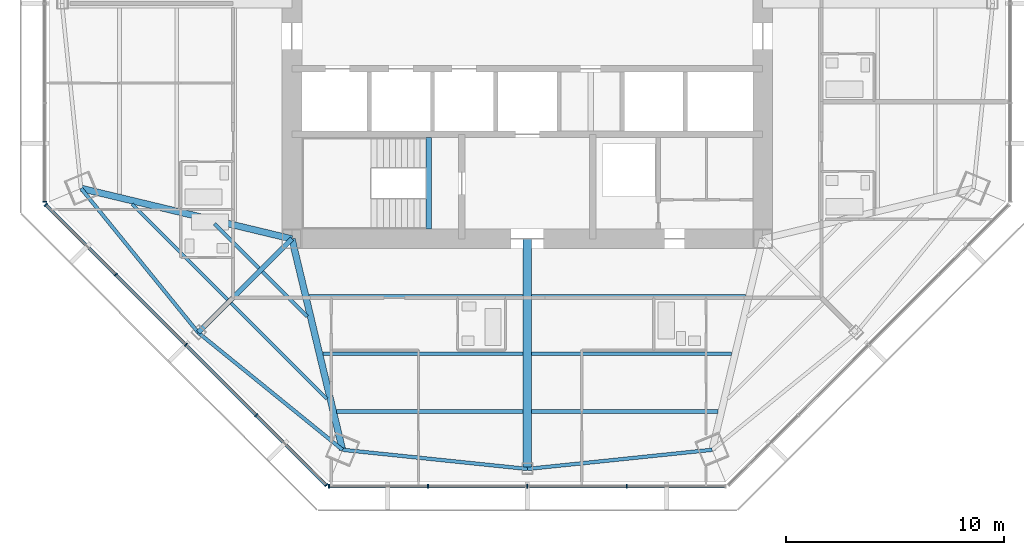
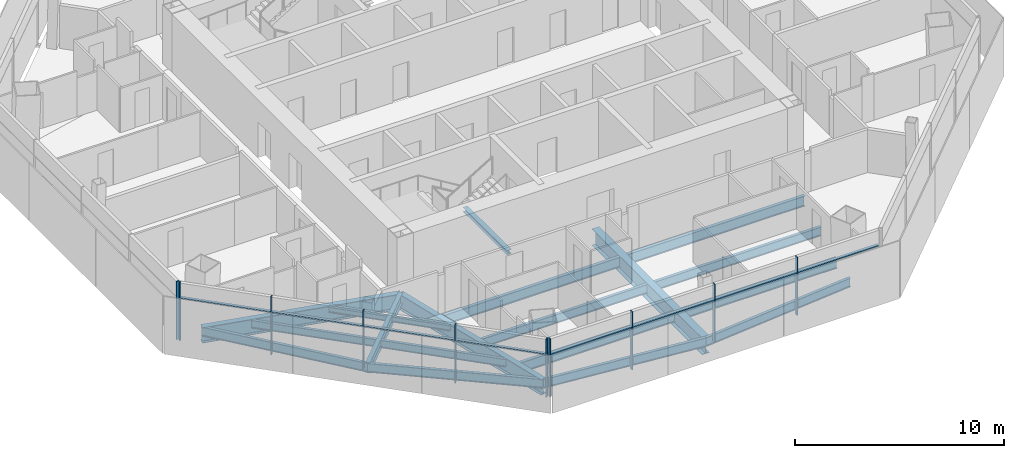
# One storey, part 2 of 15: 19 beams, 18 members, 3 elements without a shape of their own.
"""IFC4 building model written with IfcOpenShell, lengths in metres."""

import ifcopenshell
import ifcopenshell.guid

model = None  # the IFC model being written
_history = None  # IfcOwnerHistory: only IFC2X3 demands one
_inside = {}  # id of a spatial element -> (the spatial element, [elements in it])
_under = {}  # id of a project, library or spatial element -> (it, [spatial elements below it])
_declared = {}  # id of a project -> (the project, [libraries it declares])
_typed = {}  # id of a type object -> (the type object, [elements of that type])
_made_of = {}  # id of a material, layer set ... -> (it, [elements and type objects made of it])


def new_model(schema):
    """Start an empty IFC model of exactly this schema.

    Asked for "IFC4X3", IfcOpenShell would pick the latest addendum, in which some entities
    have other attributes; the version numbers below select the first issue.
    IFC2X3 requires an IfcOwnerHistory on every rooted entity: one is made here for all.
    """
    global model, _history
    if schema == "IFC4X3":
        model = ifcopenshell.file(schema_version=(4, 3, 0, 0))
    else:
        model = ifcopenshell.file(schema=schema)
    _inside.clear()
    _under.clear()
    _declared.clear()
    _typed.clear()
    _made_of.clear()
    _history = None
    if model.schema == "IFC2X3":
        org = make("IfcOrganization", Name="unknown")
        user = make(
            "IfcPersonAndOrganization",
            ThePerson=make("IfcPerson", FamilyName="unknown"),
            TheOrganization=org,
        )
        app = make(
            "IfcApplication",
            ApplicationDeveloper=org,
            Version="unknown",
            ApplicationFullName="unknown",
            ApplicationIdentifier="unknown",
        )
        _history = make(
            "IfcOwnerHistory",
            OwningUser=user,
            OwningApplication=app,
            ChangeAction="ADDED",
            CreationDate=0,
        )
    return model


def make(cls, **values):
    """One entity of the class cls with the attributes given. An attribute that is None is left unset."""
    return model.create_entity(
        cls, **{name: value for name, value in values.items() if value is not None}
    )


def rooted(cls, **values):
    """An entity with a GlobalId (a new one), such as an element, a storey or a relation."""
    return make(cls, GlobalId=ifcopenshell.guid.new(), OwnerHistory=_history, **values)


def si_unit(unit_type, name, prefix=None):
    """IfcSIUnit, for example si_unit("LENGTHUNIT", "METRE", prefix="MILLI")."""
    return make("IfcSIUnit", UnitType=unit_type, Prefix=prefix, Name=name)


def assignment(units):
    """IfcUnitAssignment: the units of a project."""
    return None if units is None else make("IfcUnitAssignment", Units=units)


def point(xyz):
    """IfcCartesianPoint."""
    return None if xyz is None else make("IfcCartesianPoint", Coordinates=xyz)


def direction(xyz):
    """IfcDirection."""
    return None if xyz is None else make("IfcDirection", DirectionRatios=xyz)


def frame(location, z_axis=None, x_axis=None):
    """IfcAxis2Placement3D, a coordinate frame: its origin and axes. An axis left out is left unset."""
    return make(
        "IfcAxis2Placement3D",
        Location=point(location),
        Axis=direction(z_axis),
        RefDirection=direction(x_axis),
    )


def frame_2d(location, x_axis=None):
    """IfcAxis2Placement2D, a coordinate frame in the plane: its origin and x axis."""
    return make(
        "IfcAxis2Placement2D", Location=point(location), RefDirection=direction(x_axis)
    )


def origin():
    """The frame at (0, 0, 0) with its axes left unset."""
    return frame((0.0, 0.0, 0.0))


def origin_2d():
    """The frame at (0, 0) in the plane with its x axis left unset."""
    return frame_2d((0.0, 0.0))


def place(relative_to, where):
    """IfcLocalPlacement: puts the frame where relative to a parent placement (None: the world)."""
    return make(
        "IfcLocalPlacement", PlacementRelTo=relative_to, RelativePlacement=where
    )


def context(
    kind, dimensions, precision=None, world=None, true_north=None, identifier=None
):
    """IfcGeometricRepresentationContext, for example the 3D "Model" context."""
    return make(
        "IfcGeometricRepresentationContext",
        ContextIdentifier=identifier,
        ContextType=kind,
        CoordinateSpaceDimension=dimensions,
        Precision=precision,
        WorldCoordinateSystem=world,
        TrueNorth=true_north,
    )


def subcontext(parent, identifier, kind, view, scale=None):
    """IfcGeometricRepresentationSubContext, for example "Body" below "Model"."""
    return make(
        "IfcGeometricRepresentationSubContext",
        ContextIdentifier=identifier,
        ContextType=kind,
        ParentContext=parent,
        TargetScale=scale,
        TargetView=view,
    )


def project(units=None, contexts=None):
    """IfcProject with its units and contexts."""
    return rooted(
        "IfcProject",
        Name="project",
        RepresentationContexts=contexts,
        UnitsInContext=assignment(units),
    )


def spatial(cls, under=None, at=None, **own):
    """A site, building, storey or space (cls), placed at a placement, below another one or the project."""
    s = rooted(cls, ObjectPlacement=at, **own)
    if under is not None:
        _under.setdefault(under.id(), (under, []))[1].append(s)
    return s


def profile(cls, at=None, kind="AREA", **sizes):
    """A parametric profile (cls). Its sizes go by their IFC names, for example OverallWidth=200.0."""
    return make(cls, ProfileType=kind, Position=at, **sizes)


def rectangle(**sizes):
    """IfcRectangleProfileDef."""
    return profile("IfcRectangleProfileDef", **sizes)


def i_section(**sizes):
    """IfcIShapeProfileDef."""
    return profile("IfcIShapeProfileDef", **sizes)


def extrude(swept, where, along, depth):
    """IfcExtrudedAreaSolid: the profile swept, set in the frame where, extruded along a direction by depth."""
    return make(
        "IfcExtrudedAreaSolid",
        SweptArea=swept,
        Position=where,
        ExtrudedDirection=direction(along),
        Depth=depth,
    )


def shape(context_of_items, identifier, shape_type, items):
    """IfcShapeRepresentation: the items that make up one representation, for example the "Body"."""
    return make(
        "IfcShapeRepresentation",
        ContextOfItems=context_of_items,
        RepresentationIdentifier=identifier,
        RepresentationType=shape_type,
        Items=items,
    )


def source(mapping_origin, context_of_items, identifier, shape_type, items):
    """IfcRepresentationMap: a shape defined once, which mapped items show again and again."""
    return make(
        "IfcRepresentationMap",
        MappingOrigin=mapping_origin,
        MappedRepresentation=shape(context_of_items, identifier, shape_type, items),
    )


def transform(
    local_origin,
    x_axis=None,
    y_axis=None,
    z_axis=None,
    scale=None,
    scale2=None,
    scale3=None,
    uniform=True,
):
    """IfcCartesianTransformationOperator3D, or its non-uniform kind. x_axis, y_axis, z_axis: its Axis1, 2, 3."""
    if uniform:
        return make(
            "IfcCartesianTransformationOperator3D",
            Axis1=direction(x_axis),
            Axis2=direction(y_axis),
            LocalOrigin=point(local_origin),
            Scale=scale,
            Axis3=direction(z_axis),
        )
    return make(
        "IfcCartesianTransformationOperator3DnonUniform",
        Axis1=direction(x_axis),
        Axis2=direction(y_axis),
        LocalOrigin=point(local_origin),
        Scale=scale,
        Axis3=direction(z_axis),
        Scale2=scale2,
        Scale3=scale3,
    )


def mapped(mapping_source, mapping_target):
    """IfcMappedItem: shows the shape of a source again, moved by a transform."""
    return make(
        "IfcMappedItem", MappingSource=mapping_source, MappingTarget=mapping_target
    )


def material(Name=None, Category=None):
    """IfcMaterial."""
    return make("IfcMaterial", Name=Name, Category=Category)


def material_profile(
    of_material, cross_section, Name=None, Category=None, Priority=None
):
    """IfcMaterialProfile: a cross section and its material."""
    return make(
        "IfcMaterialProfile",
        Name=Name,
        Material=of_material,
        Profile=cross_section,
        Priority=Priority,
        Category=Category,
    )


def profile_set(profiles, Name=None, composite=None):
    """IfcMaterialProfileSet."""
    return make(
        "IfcMaterialProfileSet",
        Name=Name,
        MaterialProfiles=profiles,
        CompositeProfile=composite,
    )


def made_of(thing, what):
    """Note that an element or type object is made of a material, layer set ...; save() writes the relation."""
    if what is not None:
        _made_of.setdefault(what.id(), (what, []))[1].append(thing)
    return thing


def type_object(cls, material=None, **own):
    """A type object (cls), such as IfcWallType, which elements share."""
    return made_of(rooted(cls, **own), material)


def type_shapes(of_type, sources):
    """Give a type object the sources (RepresentationMaps) that its elements show as mapped items."""
    of_type.RepresentationMaps = sources


def element(
    cls,
    number,
    at=None,
    inside=None,
    cuts=None,
    type_object=None,
    material=None,
    context=None,
    identifier="Body",
    shape_type=None,
    held_by="IfcProductDefinitionShape",
    body=None,
    shapes=None,
    **own,
):
    """One element of the class cls, such as IfcWall. Its Tag is "e" and its number.

    at: its placement. inside: the storey or other place that contains it. cuts: it is an
    opening in that element (IfcRelVoidsElement). A single representation is given by context,
    identifier, shape_type and body (its items); several are given by shapes. held_by: the class
    of the entity that holds the representations. save() writes the other relations.
    """
    e = rooted(cls, Tag="e%d" % number, ObjectPlacement=at, **own)
    if body is not None:
        shapes = [shape(context, identifier, shape_type, body)]
    if shapes is not None:
        e.Representation = make(held_by, Representations=shapes)
    if inside is not None:
        _inside.setdefault(inside.id(), (inside, []))[1].append(e)
    if cuts is not None:
        rooted(
            "IfcRelVoidsElement", RelatingBuildingElement=cuts, RelatedOpeningElement=e
        )
    if type_object is not None:
        _typed.setdefault(type_object.id(), (type_object, []))[1].append(e)
    return made_of(e, material)


def aggregate(whole, parts):
    """IfcRelAggregates: a whole, such as a stair, and the parts it consists of."""
    return rooted("IfcRelAggregates", RelatingObject=whole, RelatedObjects=parts)


def save(model, path):
    """Write the relations noted so far, then the file.

    IfcRelAggregates (storeys below a building ...), IfcRelContainedInSpatialStructure (elements
    in a storey), IfcRelDefinesByType, IfcRelAssociatesMaterial and IfcRelDeclares: one each for
    every whole, place, type object, material and project.
    """
    for whole, parts in _under.values():
        aggregate(whole, parts)
    for where, things in _inside.values():
        rooted(
            "IfcRelContainedInSpatialStructure",
            RelatedElements=things,
            RelatingStructure=where,
        )
    for kind, things in _typed.values():
        rooted("IfcRelDefinesByType", RelatedObjects=things, RelatingType=kind)
    for what, things in _made_of.values():
        rooted("IfcRelAssociatesMaterial", RelatedObjects=things, RelatingMaterial=what)
    for by, libraries in _declared.values():
        rooted("IfcRelDeclares", RelatingContext=by, RelatedDefinitions=libraries)
    model.write(path)


model = new_model("IFC4")

# Units and contexts
model_context = context("Model", 3, precision=1e-05, world=origin(), true_north=direction((0.0, 1.0)))
body_context = subcontext(model_context, "Body", "Model", "MODEL_VIEW")
ifc_project = project(units=[si_unit("LENGTHUNIT", "METRE"), si_unit("AREAUNIT", "SQUARE_METRE"), si_unit("VOLUMEUNIT", "CUBIC_METRE"), si_unit("PLANEANGLEUNIT", "RADIAN"), si_unit("MASSUNIT", "GRAM", prefix="KILO")], contexts=[model_context])

# Site, building, storey
site_placement = place(None, origin())
site = spatial("IfcSite", under=ifc_project, at=site_placement, CompositionType="ELEMENT")
building_placement = place(site_placement, origin())
building = spatial("IfcBuilding", under=site, at=building_placement, Name="Mashrafa Tower", CompositionType="ELEMENT")
storey_placement = place(building_placement, frame((0.0, 0.0, 207.39990234375)))
storey = spatial("IfcBuildingStorey", under=building, at=storey_placement, Name="L47", CompositionType="ELEMENT", Elevation=207.39990234375)

# Beams
ifc_material_1 = material(Name="Steel ASTM A992", Category="steel")
ifc_material_profile_1 = material_profile(ifc_material_1, i_section(OverallWidth=0.164794921875, OverallDepth=0.309814453125, WebThickness=0.005859375, FlangeThickness=0.009765625, FilletRadius=0.007568359375, at=origin_2d()), Name="W12X26")
ifc_profile_set_1 = profile_set([ifc_material_profile_1], Name="Steel ASTM A992")
beam_type_1 = type_object("IfcBeamType", Name="Beam W12X26", PredefinedType="BEAM", material=ifc_profile_set_1)
for number, where, z_axis, x_axis, name in (
    (1, (-12.31396484375, -12.152099609375, -0.354736328125), (-0.707064662666, 0.707148897198, 0.0), (-0.707148897198, -0.707064662666, 0.0), "Floor beam L47 011"),
    (2, (-10.1025390625, -14.36328125, -0.354736328125), (-0.707148897198, 0.707064662666, 0.0), (-0.707064662666, -0.707148897198, 0.0), "Floor beam L47 014"),
):
    element("IfcBeam", number, at=place(storey_placement, frame(where, z_axis=z_axis, x_axis=x_axis)), inside=storey, type_object=beam_type_1, Name=name, PredefinedType="BEAM", context=body_context, shape_type="SweptSolid", body=[
        extrude(i_section(OverallWidth=0.164794921875, OverallDepth=0.309814453125, WebThickness=0.005859375, FlangeThickness=0.009765625, FilletRadius=0.007568359375, at=origin_2d()), origin(), (0.0, 0.0, 1.0), 2.8984375),
    ])
ifc_material_2 = material(Name="Steel ASTM A992", Category="steel")
ifc_material_profile_2 = material_profile(ifc_material_2, i_section(OverallWidth=0.15234375, OverallDepth=0.449462890625, WebThickness=0.007568359375, FlangeThickness=0.0107421875, FilletRadius=0.01025390625, at=origin_2d()), Name="W18X35")
ifc_profile_set_2 = profile_set([ifc_material_profile_2], Name="Steel ASTM A992")
beam_type_2 = type_object("IfcBeamType", Name="Beam W18X35", PredefinedType="BEAM", material=ifc_profile_set_2)
for number, where, z_axis, x_axis, name in (
    (3, (-13.7470703125, -13.585205078125, -0.4248046875), (-0.707106781187, 0.707106781187, 0.0), (-0.707106781187, -0.707106781187, 0.0), "Floor beam L47 007"),
    (4, (-9.19921875, -18.133056640625, -0.4248046875), (-0.707106781187, 0.707106781187, 0.0), (-0.707106781187, -0.707106781187, 0.0), "Floor beam L47 016"),
):
    element("IfcBeam", number, at=place(storey_placement, frame(where, z_axis=z_axis, x_axis=x_axis)), inside=storey, type_object=beam_type_2, Name=name, PredefinedType="BEAM", context=body_context, shape_type="SweptSolid", body=[
        extrude(i_section(OverallWidth=0.15234375, OverallDepth=0.449462890625, WebThickness=0.007568359375, FlangeThickness=0.0107421875, FilletRadius=0.01025390625, at=origin_2d()), origin(), (0.0, 0.0, 1.0), 6.20263671875),
    ])
ifc_material_3 = material(Name="Steel ASTM A992", Category="steel")
ifc_material_profile_3 = material_profile(ifc_material_3, i_section(OverallWidth=0.1650390625, OverallDepth=0.52587890625, WebThickness=0.0087890625, FlangeThickness=0.011474609375, FilletRadius=0.0126953125, at=origin_2d()), Name="W21X44")
ifc_profile_set_3 = profile_set([ifc_material_profile_3], Name="Steel ASTM A992")
beam_type_3 = type_object("IfcBeamType", Name="Beam W21X44", PredefinedType="BEAM", material=ifc_profile_set_3)
for number, where, z_axis, x_axis, name in (
    (5, (-0.20068359375, -16.07666015625, -0.462890625), (-1.0, 0.0, 0.0), (0.0, -1.0, 0.0), "Floor beam L47 019"),
    (6, (9.378662109375, -16.07666015625, -0.462890625), (-1.0, 0.0, 0.0), (0.0, -1.0, 0.0), "Floor beam L47 026"),
):
    element("IfcBeam", number, at=place(storey_placement, frame(where, z_axis=z_axis, x_axis=x_axis)), inside=storey, type_object=beam_type_3, Name=name, PredefinedType="BEAM", context=body_context, shape_type="SweptSolid", body=[
        extrude(i_section(OverallWidth=0.1650390625, OverallDepth=0.52587890625, WebThickness=0.0087890625, FlangeThickness=0.011474609375, FilletRadius=0.0126953125, at=origin_2d()), origin(), (0.0, 0.0, 1.0), 9.177978515625),
    ])
for number, where, z_axis, x_axis, name in (
    (7, (-20.47509765625, -8.481201171875, -0.462890625), (0.630516085588, -0.7761761822, 0.0), (0.7761761822, 0.630516085588, 0.0), "Spandrel beam L47 058"),
    (8, (-15.09912109375, -15.09912109375, -0.462890625), (0.7761761822, -0.630516085588, 0.0), (0.630516085588, 0.7761761822, 0.0), "Spandrel beam L47 060"),
):
    element("IfcBeam", number, at=place(storey_placement, frame(where, z_axis=z_axis, x_axis=x_axis)), inside=storey, type_object=beam_type_3, Name=name, PredefinedType="BEAM", context=body_context, shape_type="SweptSolid", body=[
        extrude(i_section(OverallWidth=0.1650390625, OverallDepth=0.52587890625, WebThickness=0.0087890625, FlangeThickness=0.011474609375, FilletRadius=0.0126953125, at=origin_2d()), origin(), (0.0, 0.0, 1.0), 8.5263671875),
    ])
for number, where, z_axis, x_axis, name in (
    (9, (-8.481201171875, -20.47509765625, -0.462890625), (0.994682087869, -0.102992932153, 0.0), (0.102992932153, 0.994682087869, 0.0), "Spandrel beam L47 062"),
    (10, (0.0, -21.353271484375, -0.462890625), (0.994682087869, 0.102992932153, 0.0), (-0.102992932153, 0.994682087869, 0.0), "Spandrel beam L47 064"),
):
    element("IfcBeam", number, at=place(storey_placement, frame(where, z_axis=z_axis, x_axis=x_axis)), inside=storey, type_object=beam_type_3, Name=name, PredefinedType="BEAM", context=body_context, shape_type="SweptSolid", body=[
        extrude(i_section(OverallWidth=0.1650390625, OverallDepth=0.52587890625, WebThickness=0.0087890625, FlangeThickness=0.011474609375, FilletRadius=0.0126953125, at=origin_2d()), origin(), (0.0, 0.0, 1.0), 8.526611328125),
    ])
ifc_material_4 = material(Name="Steel ASTM A992", Category="steel")
ifc_material_profile_4 = material_profile(ifc_material_4, i_section(OverallWidth=0.177978515625, OverallDepth=0.599365234375, WebThickness=0.010009765625, FlangeThickness=0.012939453125, FilletRadius=0.012939453125, at=origin_2d()), Name="W24X55")
ifc_profile_set_4 = profile_set([ifc_material_profile_4], Name="Steel ASTM A992")
beam_type_4 = type_object("IfcBeamType", Name="Beam W24X55", PredefinedType="BEAM", material=ifc_profile_set_4)
beam_1_placement = place(storey_placement, frame((-0.20068359375, -18.715087890625, -0.49951171875), z_axis=(-1.0, 0.0, 0.0), x_axis=(0.0, -1.0, 0.0)))
element("IfcBeam", 11, at=beam_1_placement, inside=storey, type_object=beam_type_4, Name="Floor beam L47 018", PredefinedType="BEAM", context=body_context, shape_type="SweptSolid", body=[
    extrude(i_section(OverallWidth=0.177978515625, OverallDepth=0.599365234375, WebThickness=0.010009765625, FlangeThickness=0.012939453125, FilletRadius=0.012939453125, at=origin_2d()), origin(), (0.0, 0.0, 1.0), 8.545654296875),
])
beam_2_placement = place(storey_placement, frame((-0.20068359375, -13.438232421875, -0.49951171875), z_axis=(-1.0, 0.0, 0.0), x_axis=(0.0, -1.0, 0.0)))
element("IfcBeam", 12, at=beam_2_placement, inside=storey, type_object=beam_type_4, Name="Floor beam L47 020", PredefinedType="BEAM", context=body_context, shape_type="SweptSolid", body=[
    extrude(i_section(OverallWidth=0.177978515625, OverallDepth=0.599365234375, WebThickness=0.010009765625, FlangeThickness=0.012939453125, FilletRadius=0.012939453125, at=origin_2d()), origin(), (0.0, 0.0, 1.0), 9.810302734375),
])
beam_3_placement = place(storey_placement, frame((8.746337890625, -18.715087890625, -0.49951171875), z_axis=(-1.0, 0.0, 0.0), x_axis=(0.0, -1.0, 0.0)))
element("IfcBeam", 13, at=beam_3_placement, inside=storey, type_object=beam_type_4, Name="Floor beam L47 024", PredefinedType="BEAM", context=body_context, shape_type="SweptSolid", body=[
    extrude(i_section(OverallWidth=0.177978515625, OverallDepth=0.599365234375, WebThickness=0.010009765625, FlangeThickness=0.012939453125, FilletRadius=0.012939453125, at=origin_2d()), origin(), (0.0, 0.0, 1.0), 8.545654296875),
])
beam_4_placement = place(storey_placement, frame((10.010986328125, -13.438232421875, -0.49951171875), z_axis=(-1.0, 0.0, 0.0), x_axis=(0.0, -1.0, 0.0)))
element("IfcBeam", 14, at=beam_4_placement, inside=storey, type_object=beam_type_4, Name="Floor beam L47 028", PredefinedType="BEAM", context=body_context, shape_type="SweptSolid", body=[
    extrude(i_section(OverallWidth=0.177978515625, OverallDepth=0.599365234375, WebThickness=0.010009765625, FlangeThickness=0.012939453125, FilletRadius=0.012939453125, at=origin_2d()), origin(), (0.0, 0.0, 1.0), 9.810302734375),
])
ifc_material_5 = material(Name="Steel ASTM A992", Category="steel")
ifc_material_profile_5 = material_profile(ifc_material_5, i_section(OverallWidth=0.22900390625, OverallDepth=0.612060546875, WebThickness=0.011962890625, FlangeThickness=0.01953125, FilletRadius=0.0126953125, at=origin_2d()), Name="W24X84")
ifc_profile_set_5 = profile_set([ifc_material_profile_5], Name="Steel ASTM A992")
beam_type_5 = type_object("IfcBeamType", Name="Beam W24X84", PredefinedType="BEAM", material=ifc_profile_set_5)
beam_5_placement = place(storey_placement, frame((-10.800048828125, -10.800048828125, -0.505859375), z_axis=(-0.707106781187, -0.707106781187, 0.0), x_axis=(0.707106781187, -0.707106781187, 0.0)))
element("IfcBeam", 15, at=beam_5_placement, inside=storey, type_object=beam_type_5, Name="Radial girder L47 042", PredefinedType="BEAM", context=body_context, shape_type="SweptSolid", body=[
    extrude(i_section(OverallWidth=0.22900390625, OverallDepth=0.612060546875, WebThickness=0.011962890625, FlangeThickness=0.01953125, FilletRadius=0.0126953125, at=origin_2d()), origin(), (0.0, 0.0, 1.0), 6.079833984375),
])
ifc_material_6 = material(Name="Steel ASTM A992", Category="steel")
ifc_material_profile_6 = material_profile(ifc_material_6, i_section(OverallWidth=0.3046875, OverallDepth=0.911865234375, WebThickness=0.015869140625, FlangeThickness=0.02392578125, FilletRadius=0.01904296875, at=origin_2d()), Name="W36X150")
ifc_profile_set_6 = profile_set([ifc_material_profile_6], Name="Steel ASTM A992")
beam_type_6 = type_object("IfcBeamType", Name="Beam W36X150", PredefinedType="BEAM", material=ifc_profile_set_6)
for number, where, z_axis, x_axis, name in (
    (16, (-10.800048828125, -10.800048828125, -0.65576171875), (-0.972459424898, 0.233072235426, 0.0), (-0.233072235426, -0.972459424898, 0.0), "Radial girder L47 041"),
    (17, (-10.800048828125, -10.800048828125, -0.65576171875), (0.233072235426, -0.972459424898, 0.0), (0.972459424898, 0.233072235426, 0.0), "Radial girder L47 043"),
):
    element("IfcBeam", number, at=place(storey_placement, frame(where, z_axis=z_axis, x_axis=x_axis)), inside=storey, type_object=beam_type_6, Name=name, PredefinedType="BEAM", context=body_context, shape_type="SweptSolid", body=[
        extrude(i_section(OverallWidth=0.3046875, OverallDepth=0.911865234375, WebThickness=0.015869140625, FlangeThickness=0.02392578125, FilletRadius=0.01904296875, at=origin_2d()), origin(), (0.0, 0.0, 1.0), 9.948974609375),
    ])
ifc_material_7 = material(Name="Steel ASTM A992", Category="steel")
ifc_material_profile_7 = material_profile(ifc_material_7, i_section(OverallWidth=0.4013671875, OverallDepth=0.98291015625, WebThickness=0.0166015625, FlangeThickness=0.027099609375, FilletRadius=0.0126953125, at=origin_2d()), Name="W40X199")
ifc_profile_set_7 = profile_set([ifc_material_profile_7], Name="Steel ASTM A992")
beam_type_7 = type_object("IfcBeamType", Name="Beam W40X199", PredefinedType="BEAM", material=ifc_profile_set_7)
beam_6_placement = place(storey_placement, frame((0.0, -10.800048828125, -0.69140625), z_axis=(0.0, -1.0, 0.0), x_axis=(1.0, 0.0, 0.0)))
element("IfcBeam", 18, at=beam_6_placement, inside=storey, type_object=beam_type_7, Name="Radial girder L47 048", PredefinedType="BEAM", context=body_context, shape_type="SweptSolid", body=[
    extrude(i_section(OverallWidth=0.4013671875, OverallDepth=0.98291015625, WebThickness=0.0166015625, FlangeThickness=0.027099609375, FilletRadius=0.0126953125, at=origin_2d()), origin(), (0.0, 0.0, 1.0), 10.55322265625),
])
ifc_material_8 = material(Name="Steel ASTM A992", Category="steel")
ifc_material_profile_8 = material_profile(ifc_material_8, i_section(OverallWidth=0.25390625, OverallDepth=0.25390625, WebThickness=0.008544921875, FlangeThickness=0.01416015625, FilletRadius=0.010009765625, at=origin_2d()), Name="W10X49")
ifc_profile_set_8 = profile_set([ifc_material_profile_8], Name="Steel ASTM A992")
beam_type_8 = type_object("IfcBeamType", Name="Hoistway beam W10X49", PredefinedType="BEAM", material=ifc_profile_set_8)
beam_7_placement = place(storey_placement, frame((-4.530029296875, -10.35009765625, -0.326904296875), z_axis=(0.0, 1.0, 0.0), x_axis=(-1.0, 0.0, 0.0)))
element("IfcBeam", 19, at=beam_7_placement, inside=storey, type_object=beam_type_8, Name="Stair S3 landing beam L47", PredefinedType="BEAM", context=body_context, shape_type="SweptSolid", body=[
    extrude(i_section(OverallWidth=0.25390625, OverallDepth=0.25390625, WebThickness=0.008544921875, FlangeThickness=0.01416015625, FilletRadius=0.010009765625, at=origin_2d()), origin(), (0.0, 0.0, 1.0), 4.2001953125),
])

# Curtain wall, member
ifc_material_9 = material(Name="Unitised aluminium curtain wall", Category="aluminium")
curtain_wall_type = type_object("IfcCurtainWallType", Name="Apartment curtain wall, zone 3 CW-C 180 deep", PredefinedType="NOTDEFINED", material=ifc_material_9)
curtain_wall_1_placement = place(storey_placement, origin())
curtain_wall_1 = element("IfcCurtainWall", 20, at=curtain_wall_1_placement, inside=storey, type_object=curtain_wall_type, Name="Apartment curtain wall, zone 3 L47 west", PredefinedType="NOTDEFINED")
ifc_material_10 = material(Name="Extruded aluminium mullion", Category="aluminium")
ifc_material_profile_9 = material_profile(ifc_material_10, rectangle(XDim=0.179931640625, YDim=0.06005859375, at=origin_2d()), Name="Mullion 60x180")
ifc_profile_set_9 = profile_set([ifc_material_profile_9], Name="Extruded aluminium mullion")
member_type_1 = type_object("IfcMemberType", Name="Mullion CW-C 60 x 180", PredefinedType="MULLION", material=ifc_profile_set_9)
shared_shape_1 = source(origin(), body_context, "Body", "SweptSolid", [
    extrude(rectangle(XDim=0.179931640625, YDim=0.06005859375, at=origin_2d()), origin(), (0.0, 0.0, 1.0), 3.400146484375),
])
type_shapes(member_type_1, [shared_shape_1])
member_1_placement = place(storey_placement, frame((-22.147705078125, -9.0966796875, 0.0), z_axis=(0.0, 0.0, 1.0), x_axis=(1.0, 0.0, 0.0)))
member_1 = element("IfcMember", 21, at=member_1_placement, type_object=member_type_1, Name="CW-C mullion 5", PredefinedType="MULLION", context=body_context, shape_type="MappedRepresentation", body=[
    mapped(shared_shape_1, transform((0.0, 0.0, 0.0))),
])
aggregate(curtain_wall_1, [member_1])

# Curtain wall, members
curtain_wall_2_placement = place(storey_placement, origin())
curtain_wall_2 = element("IfcCurtainWall", 22, at=curtain_wall_2_placement, inside=storey, type_object=curtain_wall_type, Name="Apartment curtain wall, zone 3 L47 south-west", PredefinedType="NOTDEFINED")
member_2_placement = place(storey_placement, frame((-22.093017578125, -9.228515625, 0.0), z_axis=(0.0, 0.0, 1.0), x_axis=(0.707106781187, 0.707106781187, 0.0)))
member_2 = element("IfcMember", 23, at=member_2_placement, type_object=member_type_1, Name="CW-C mullion 1", PredefinedType="MULLION", context=body_context, shape_type="MappedRepresentation", body=[
    mapped(shared_shape_1, transform((0.0, 0.0, 0.0))),
])
member_3_placement = place(storey_placement, frame((-18.887451171875, -12.43408203125, 0.0), z_axis=(0.0, 0.0, 1.0), x_axis=(0.707106781187, 0.707106781187, 0.0)))
member_3 = element("IfcMember", 24, at=member_3_placement, type_object=member_type_1, Name="CW-C mullion 2", PredefinedType="MULLION", context=body_context, shape_type="MappedRepresentation", body=[
    mapped(shared_shape_1, transform((0.0, 0.0, 0.0))),
])
member_4_placement = place(storey_placement, frame((-15.66064453125, -15.66064453125, 0.0), z_axis=(0.0, 0.0, 1.0), x_axis=(0.707106781187, 0.707106781187, 0.0)))
member_4 = element("IfcMember", 25, at=member_4_placement, type_object=member_type_1, Name="CW-C mullion 3", PredefinedType="MULLION", context=body_context, shape_type="MappedRepresentation", body=[
    mapped(shared_shape_1, transform((0.0, 0.0, 0.0))),
])
member_5_placement = place(storey_placement, frame((-12.43408203125, -18.887451171875, 0.0), z_axis=(0.0, 0.0, 1.0), x_axis=(0.707106781187, 0.707106781187, 0.0)))
member_5 = element("IfcMember", 26, at=member_5_placement, type_object=member_type_1, Name="CW-C mullion 4", PredefinedType="MULLION", context=body_context, shape_type="MappedRepresentation", body=[
    mapped(shared_shape_1, transform((0.0, 0.0, 0.0))),
])
member_6_placement = place(storey_placement, frame((-9.228515625, -22.093017578125, 0.0), z_axis=(0.0, 0.0, 1.0), x_axis=(0.707106781187, 0.707106781187, 0.0)))
member_6 = element("IfcMember", 27, at=member_6_placement, type_object=member_type_1, Name="CW-C mullion 5", PredefinedType="MULLION", context=body_context, shape_type="MappedRepresentation", body=[
    mapped(shared_shape_1, transform((0.0, 0.0, 0.0))),
])

curtain_wall_3_placement = place(storey_placement, origin())
curtain_wall_3 = element("IfcCurtainWall", 28, at=curtain_wall_3_placement, inside=storey, type_object=curtain_wall_type, Name="Apartment curtain wall, zone 3 L47 south", PredefinedType="NOTDEFINED")
member_7_placement = place(storey_placement, frame((-9.0966796875, -22.147705078125, 0.0), z_axis=(0.0, 0.0, 1.0), x_axis=(0.0, 1.0, 0.0)))
member_7 = element("IfcMember", 29, at=member_7_placement, type_object=member_type_1, Name="CW-C mullion 1", PredefinedType="MULLION", context=body_context, shape_type="MappedRepresentation", body=[
    mapped(shared_shape_1, transform((0.0, 0.0, 0.0))),
])
member_8_placement = place(storey_placement, frame((-4.563232421875, -22.147705078125, 0.0), z_axis=(0.0, 0.0, 1.0), x_axis=(0.0, 1.0, 0.0)))
member_8 = element("IfcMember", 30, at=member_8_placement, type_object=member_type_1, Name="CW-C mullion 2", PredefinedType="MULLION", context=body_context, shape_type="MappedRepresentation", body=[
    mapped(shared_shape_1, transform((0.0, 0.0, 0.0))),
])
member_9_placement = place(storey_placement, frame((0.0, -22.147705078125, 0.0), z_axis=(0.0, 0.0, 1.0), x_axis=(0.0, 1.0, 0.0)))
member_9 = element("IfcMember", 31, at=member_9_placement, type_object=member_type_1, Name="CW-C mullion 3", PredefinedType="MULLION", context=body_context, shape_type="MappedRepresentation", body=[
    mapped(shared_shape_1, transform((0.0, 0.0, 0.0))),
])
member_10_placement = place(storey_placement, frame((4.563232421875, -22.147705078125, 0.0), z_axis=(0.0, 0.0, 1.0), x_axis=(0.0, 1.0, 0.0)))
member_10 = element("IfcMember", 32, at=member_10_placement, type_object=member_type_1, Name="CW-C mullion 4", PredefinedType="MULLION", context=body_context, shape_type="MappedRepresentation", body=[
    mapped(shared_shape_1, transform((0.0, 0.0, 0.0))),
])

# Member
ifc_material_11 = material(Name="Extruded aluminium transom", Category="aluminium")
ifc_material_profile_10 = material_profile(ifc_material_11, rectangle(XDim=0.14404296875, YDim=0.074951171875, at=origin_2d()), Name="Transom 75x144")
ifc_profile_set_10 = profile_set([ifc_material_profile_10], Name="Extruded aluminium transom")
member_type_2 = type_object("IfcMemberType", Name="Transom CW-C 75 x 144", PredefinedType="MULLION", material=ifc_profile_set_10)
shared_shape_2 = source(origin(), body_context, "Body", "SweptSolid", [
    extrude(rectangle(XDim=0.14404296875, YDim=0.074951171875, at=origin_2d()), origin(), (0.0, 0.0, 1.0), 4.473388671875),
])
member_11_placement = place(storey_placement, frame((-22.07177734375, -9.249755859375, 2.5), z_axis=(0.707106781187, -0.707106781187, 0.0), x_axis=(0.707106781187, 0.707106781187, 0.0)))
member_11 = element("IfcMember", 33, at=member_11_placement, type_object=member_type_2, Name="CW-C transom 1", PredefinedType="MULLION", context=body_context, shape_type="MappedRepresentation", body=[
    mapped(shared_shape_2, transform((0.0, 0.0, 0.0))),
])

member_12_placement = place(storey_placement, frame((-12.412841796875, -18.90869140625, 2.5), z_axis=(0.707106781187, -0.707106781187, 0.0), x_axis=(0.707106781187, 0.707106781187, 0.0)))
member_12 = element("IfcMember", 34, at=member_12_placement, type_object=member_type_2, Name="CW-C transom 4", PredefinedType="MULLION", context=body_context, shape_type="MappedRepresentation", body=[
    mapped(shared_shape_2, transform((0.0, 0.0, 0.0))),
])

member_13_placement = place(storey_placement, frame((-9.066650390625, -22.147705078125, 2.5), z_axis=(1.0, 0.0, 0.0), x_axis=(0.0, 1.0, 0.0)))
member_13 = element("IfcMember", 35, at=member_13_placement, type_object=member_type_2, Name="CW-C transom 1", PredefinedType="MULLION", context=body_context, shape_type="MappedRepresentation", body=[
    mapped(shared_shape_2, transform((0.0, 0.0, 0.0))),
])

member_14_placement = place(storey_placement, frame((4.59326171875, -22.147705078125, 2.5), z_axis=(1.0, 0.0, 0.0), x_axis=(0.0, 1.0, 0.0)))
member_14 = element("IfcMember", 36, at=member_14_placement, type_object=member_type_2, Name="CW-C transom 4", PredefinedType="MULLION", context=body_context, shape_type="MappedRepresentation", body=[
    mapped(shared_shape_2, transform((0.0, 0.0, 0.0))),
])

shared_shape_3 = source(origin(), body_context, "Body", "SweptSolid", [
    extrude(rectangle(XDim=0.14404296875, YDim=0.074951171875, at=origin_2d()), origin(), (0.0, 0.0, 1.0), 4.503173828125),
])
member_15_placement = place(storey_placement, frame((-4.533203125, -22.147705078125, 2.5), z_axis=(1.0, 0.0, 0.0), x_axis=(0.0, 1.0, 0.0)))
member_15 = element("IfcMember", 37, at=member_15_placement, type_object=member_type_2, Name="CW-C transom 2", PredefinedType="MULLION", context=body_context, shape_type="MappedRepresentation", body=[
    mapped(shared_shape_3, transform((0.0, 0.0, 0.0))),
])

member_16_placement = place(storey_placement, frame((0.030029296875, -22.147705078125, 2.5), z_axis=(1.0, 0.0, 0.0), x_axis=(0.0, 1.0, 0.0)))
member_16 = element("IfcMember", 38, at=member_16_placement, type_object=member_type_2, Name="CW-C transom 3", PredefinedType="MULLION", context=body_context, shape_type="MappedRepresentation", body=[
    mapped(shared_shape_3, transform((0.0, 0.0, 0.0))),
])

aggregate(curtain_wall_3, [member_7, member_8, member_9, member_10, member_13, member_15, member_16, member_14])

shared_shape_4 = source(origin(), body_context, "Body", "SweptSolid", [
    extrude(rectangle(XDim=0.14404296875, YDim=0.074951171875, at=origin_2d()), origin(), (0.0, 0.0, 1.0), 4.50341796875),
])
type_shapes(member_type_2, [shared_shape_2, shared_shape_3, shared_shape_4])
member_17_placement = place(storey_placement, frame((-18.8662109375, -12.455322265625, 2.5), z_axis=(0.707106781187, -0.707106781187, 0.0), x_axis=(0.707106781187, 0.707106781187, 0.0)))
member_17 = element("IfcMember", 39, at=member_17_placement, type_object=member_type_2, Name="CW-C transom 2", PredefinedType="MULLION", context=body_context, shape_type="MappedRepresentation", body=[
    mapped(shared_shape_4, transform((0.0, 0.0, 0.0))),
])

member_18_placement = place(storey_placement, frame((-15.6396484375, -15.681884765625, 2.5), z_axis=(0.707106781187, -0.707106781187, 0.0), x_axis=(0.707106781187, 0.707106781187, 0.0)))
member_18 = element("IfcMember", 40, at=member_18_placement, type_object=member_type_2, Name="CW-C transom 3", PredefinedType="MULLION", context=body_context, shape_type="MappedRepresentation", body=[
    mapped(shared_shape_4, transform((0.0, 0.0, 0.0))),
])

aggregate(curtain_wall_2, [member_2, member_3, member_4, member_5, member_6, member_11, member_17, member_18, member_12])

save(model, "model.ifc")
